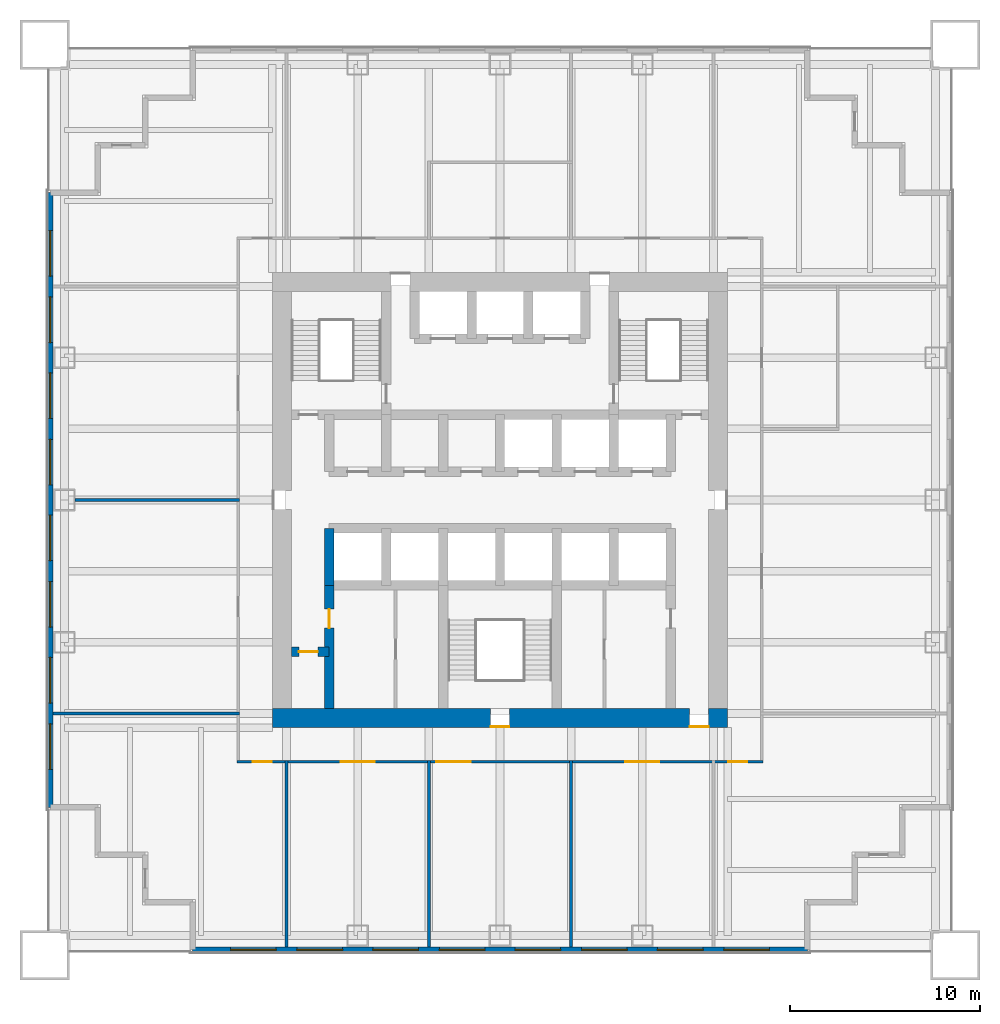
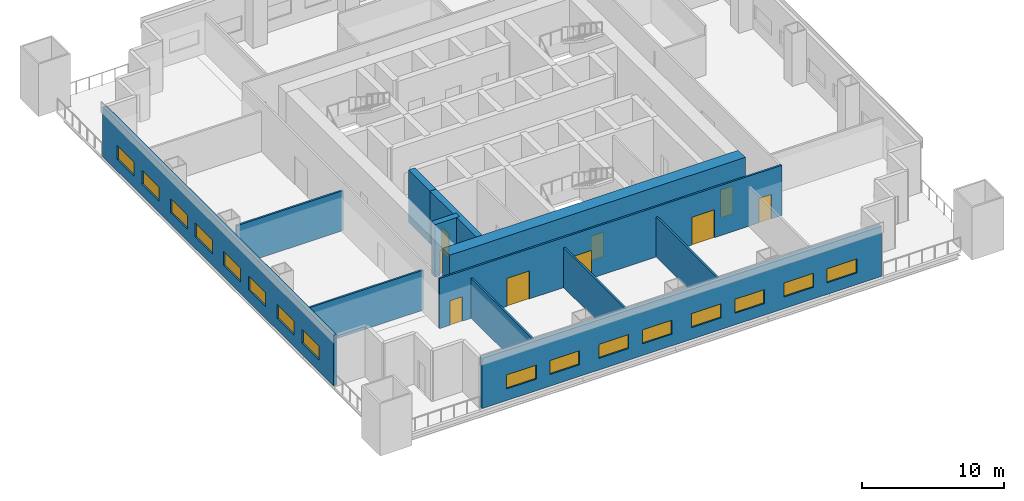
# One storey, part 2 of 7: 16 windows, 12 walls, 9 doors, 25 openings.
"""IFC4 building model written with IfcOpenShell, lengths in metres."""

from ifc_helpers import new_model, si_unit, direction, frame, frame_2d, origin, place, context, subcontext, project, spatial, rectangle, extrude, material, layer, layer_set, type_object, element, fill, save


model = new_model("IFC4")

# Units and contexts
model_context = context("Model", 3, precision=1e-05, world=origin(), true_north=direction((0.0, 1.0)))
body_context = subcontext(model_context, "Body", "Model", "MODEL_VIEW")
ifc_project = project(units=[si_unit("LENGTHUNIT", "METRE"), si_unit("AREAUNIT", "SQUARE_METRE"), si_unit("VOLUMEUNIT", "CUBIC_METRE"), si_unit("PLANEANGLEUNIT", "RADIAN"), si_unit("MASSUNIT", "GRAM", prefix="KILO")], contexts=[model_context])

# Site, building, storey
site_placement = place(None, origin())
site = spatial("IfcSite", under=ifc_project, at=site_placement, CompositionType="ELEMENT")
building_placement = place(site_placement, origin())
building = spatial("IfcBuilding", under=site, at=building_placement, Name="Tarangal Relay Tower", CompositionType="ELEMENT")
storey_placement = place(building_placement, frame((0.0, 0.0, 131.39990234375)))
storey = spatial("IfcBuildingStorey", under=building, at=storey_placement, Name="L26", CompositionType="ELEMENT", Elevation=131.39990234375)

# Wall, opening, door
ifc_material_1 = material(Name="Concrete fc' 60 MPa", Category="concrete")
ifc_layer_1 = layer(ifc_material_1, 0.5)
ifc_layer_set_1 = layer_set([ifc_layer_1], Name="Core inner wall 500")
wall_type_1 = type_object("IfcWallType", Name="Core inner wall 500", PredefinedType="SHEAR", material=ifc_layer_set_1)
wall_1_placement = place(storey_placement, frame((-11.0, -8.0, 0.0), z_axis=(0.0, 0.0, 1.0), x_axis=(1.0, 0.0, 0.0)))
wall_1 = element("IfcWall", 1, at=wall_1_placement, inside=storey, type_object=wall_type_1, Name="Core wall YM8 L26", PredefinedType="SHEAR", context=body_context, shape_type="SweptSolid", body=[
    extrude(rectangle(XDim=2.0, YDim=0.5, at=frame_2d((1.0, 0.0))), origin(), (0.0, 0.0, 1.0), 4.5),
])
opening_1_placement = place(wall_1_placement, frame((0.39990234375, 0.0, 0.0)))
opening_1 = element("IfcOpeningElement", 2, at=opening_1_placement, cuts=wall_1, Name="Opening D1", PredefinedType="OPENING", context=body_context, shape_type="SweptSolid", body=[
    extrude(rectangle(XDim=1.0, YDim=2.10009765625, at=frame_2d((0.5, 1.050048828125))), frame((0.0, 0.260009765625, 0.0), z_axis=(0.0, -1.0, 0.0), x_axis=(1.0, 0.0, 0.0)), (0.0, 0.0, 1.0), 0.52001953125),
])
ifc_material_2 = material(Name="Hardwood door", Category="wood")
door_type_1 = type_object("IfcDoorType", Name="WC door 1000 x 2100", OperationType="SINGLE_SWING_LEFT", PredefinedType="DOOR", material=ifc_material_2)
door_1_placement = place(opening_1_placement, origin())
door_1 = element("IfcDoor", 3, at=door_1_placement, inside=storey, type_object=door_type_1, Name="Accessible WC door L26", OperationType="SINGLE_SWING_LEFT", OverallHeight=2.10009765625, OverallWidth=1.0, PredefinedType="DOOR", context=body_context, shape_type="SweptSolid", body=[
    extrude(rectangle(XDim=1.0, YDim=2.10009765625, at=frame_2d((0.5, 1.050048828125))), frame((0.0, 0.02490234375, 0.0), z_axis=(0.0, -1.0, 0.0), x_axis=(1.0, 0.0, 0.0)), (0.0, 0.0, 1.0), 0.050048828125),
])
fill(opening_1, door_1)

# Wall
wall_2_placement = place(storey_placement, frame((-9.0, -4.5, 0.0), z_axis=(0.0, 0.0, 1.0), x_axis=(0.0, 1.0, 0.0)))
element("IfcWall", 4, at=wall_2_placement, inside=storey, type_object=wall_type_1, Name="Core wall XM9S L26", PredefinedType="SHEAR", context=body_context, shape_type="SweptSolid", body=[
    extrude(rectangle(XDim=3.0, YDim=0.5, at=frame_2d((1.5, 0.0))), origin(), (0.0, 0.0, 1.0), 4.5),
])

# Wall, opening, door
wall_3_placement = place(storey_placement, frame((-9.0, -11.0, 0.0), z_axis=(0.0, 0.0, 1.0), x_axis=(0.0, 1.0, 0.0)))
wall_3 = element("IfcWall", 5, at=wall_3_placement, inside=storey, type_object=wall_type_1, Name="Core wall XM9W L26", PredefinedType="SHEAR", context=body_context, shape_type="SweptSolid", body=[
    extrude(rectangle(XDim=6.5, YDim=0.5, at=frame_2d((3.25, 0.0))), origin(), (0.0, 0.0, 1.0), 4.5),
])
opening_2_placement = place(wall_3_placement, frame((4.25, 0.0, 0.0)))
opening_2 = element("IfcOpeningElement", 6, at=opening_2_placement, cuts=wall_3, Name="Opening D1", PredefinedType="OPENING", context=body_context, shape_type="SweptSolid", body=[
    extrude(rectangle(XDim=1.0, YDim=2.10009765625, at=frame_2d((0.5, 1.050048828125))), frame((0.0, 0.260009765625, 0.0), z_axis=(0.0, -1.0, 0.0), x_axis=(1.0, 0.0, 0.0)), (0.0, 0.0, 1.0), 0.52001953125),
])
door_2_placement = place(opening_2_placement, origin())
door_2 = element("IfcDoor", 7, at=door_2_placement, inside=storey, type_object=door_type_1, Name="Male WC door L26", OperationType="SINGLE_SWING_LEFT", OverallHeight=2.10009765625, OverallWidth=1.0, PredefinedType="DOOR", context=body_context, shape_type="SweptSolid", body=[
    extrude(rectangle(XDim=1.0, YDim=2.10009765625, at=frame_2d((0.5, 1.050048828125))), frame((0.0, 0.02490234375, 0.0), z_axis=(0.0, -1.0, 0.0), x_axis=(1.0, 0.0, 0.0)), (0.0, 0.0, 1.0), 0.050048828125),
])
fill(opening_2, door_2)

# Wall, openings, doors
ifc_layer_2 = layer(ifc_material_1, 1.0)
ifc_layer_set_2 = layer_set([ifc_layer_2], Name="Core wall 1000")
wall_type_2 = type_object("IfcWallType", Name="Core wall 1000", PredefinedType="SHEAR", material=ifc_layer_set_2)
wall_4_placement = place(storey_placement, frame((12.0, -11.5, 0.0), z_axis=(0.0, 0.0, 1.0), x_axis=(-1.0, 0.0, 0.0)))
wall_4 = element("IfcWall", 8, at=wall_4_placement, inside=storey, type_object=wall_type_2, Name="Core wall S L26", PredefinedType="SHEAR", context=body_context, shape_type="SweptSolid", body=[
    extrude(rectangle(XDim=24.0, YDim=1.0, at=frame_2d((12.0, 0.0))), origin(), (0.0, 0.0, 1.0), 4.5),
])
opening_3_placement = place(wall_4_placement, frame((11.5, 0.0, 0.0)))
opening_3 = element("IfcOpeningElement", 9, at=opening_3_placement, cuts=wall_4, Name="Opening FD1", PredefinedType="OPENING", context=body_context, shape_type="SweptSolid", body=[
    extrude(rectangle(XDim=1.0, YDim=2.10009765625, at=frame_2d((0.5, 1.050048828125))), frame((0.0, 0.510009765625, 0.0), z_axis=(0.0, -1.0, 0.0), x_axis=(1.0, 0.0, 0.0)), (0.0, 0.0, 1.0), 1.02001953125),
])
opening_4_placement = place(wall_4_placement, frame((1.0, 0.0, 0.0)))
opening_4 = element("IfcOpeningElement", 10, at=opening_4_placement, cuts=wall_4, Name="Opening FD3", PredefinedType="OPENING", context=body_context, shape_type="SweptSolid", body=[
    extrude(rectangle(XDim=1.0, YDim=2.39990234375, at=frame_2d((0.5, 1.199951171875))), frame((0.0, 0.510009765625, 0.0), z_axis=(0.0, -1.0, 0.0), x_axis=(1.0, 0.0, 0.0)), (0.0, 0.0, 1.0), 1.02001953125),
])
ifc_material_3 = material(Name="Steel door with hardwood frame", Category="steel")
door_type_2 = type_object("IfcDoorType", Name="Fire door 1000 x 2100", OperationType="SINGLE_SWING_LEFT", PredefinedType="DOOR", material=ifc_material_3)
door_3_placement = place(opening_3_placement, origin())
door_3 = element("IfcDoor", 11, at=door_3_placement, inside=storey, type_object=door_type_2, Name="Stair ST-C door L26", OperationType="SINGLE_SWING_LEFT", OverallHeight=2.10009765625, OverallWidth=1.0, PredefinedType="DOOR", context=body_context, shape_type="SweptSolid", body=[
    extrude(rectangle(XDim=1.0, YDim=2.10009765625, at=frame_2d((0.5, 1.050048828125))), frame((0.0, 0.48486328125, 0.0), z_axis=(0.0, -1.0, 0.0), x_axis=(1.0, 0.0, 0.0)), (0.0, 0.0, 1.0), 0.050048828125),
])
fill(opening_3, door_3)
door_type_3 = type_object("IfcDoorType", Name="Fire door 1000 x 2400 core entry", OperationType="SINGLE_SWING_RIGHT", PredefinedType="DOOR", material=ifc_material_3)
door_4_placement = place(opening_4_placement, origin())
door_4 = element("IfcDoor", 12, at=door_4_placement, inside=storey, type_object=door_type_3, Name="Core entry door south east L26", OperationType="SINGLE_SWING_RIGHT", OverallHeight=2.39990234375, OverallWidth=1.0, PredefinedType="DOOR", context=body_context, shape_type="SweptSolid", body=[
    extrude(rectangle(XDim=1.0, YDim=2.39990234375, at=frame_2d((0.5, 1.199951171875))), frame((0.0, 0.48486328125, 0.0), z_axis=(0.0, -1.0, 0.0), x_axis=(1.0, 0.0, 0.0)), (0.0, 0.0, 1.0), 0.050048828125),
])
fill(opening_4, door_4)

# Wall, openings, windows
ifc_material_4 = material(Name="Insulated precast concrete fc' 40 MPa", Category="concrete")
ifc_layer_3 = layer(ifc_material_4, 0.300048828125)
ifc_layer_set_3 = layer_set([ifc_layer_3], Name="Insulated precast concrete fc' 40 MPa")
wall_type_3 = type_object("IfcWallType", Name="Facade wall precast 300", PredefinedType="SOLIDWALL", material=ifc_layer_set_3)
wall_5_placement = place(storey_placement, frame((16.199951171875, -23.699951171875, 0.0), z_axis=(0.0, 0.0, 1.0), x_axis=(-1.0, 0.0, 0.0)))
wall_5 = element("IfcWall", 13, at=wall_5_placement, inside=storey, type_object=wall_type_3, Name="Facade wall S facade L26", PredefinedType="SOLIDWALL", context=body_context, shape_type="SweptSolid", body=[
    extrude(rectangle(XDim=32.39990234375, YDim=0.300048828125, at=frame_2d((16.199951171875, 0.0))), origin(), (0.0, 0.0, 1.0), 4.300048828125),
])
opening_5_placement = place(wall_5_placement, frame((2.0, 0.0, 1.0)))
opening_5 = element("IfcOpeningElement", 14, at=opening_5_placement, cuts=wall_5, Name="Opening WN1", PredefinedType="OPENING", context=body_context, shape_type="SweptSolid", body=[
    extrude(rectangle(XDim=2.39990234375, YDim=1.199951171875, at=frame_2d((1.199951171875, 0.60009765625))), frame((0.0, 0.159912109375, 0.0), z_axis=(0.0, -1.0, 0.0), x_axis=(1.0, 0.0, 0.0)), (0.0, 0.0, 1.0), 0.320068359375),
])
opening_6_placement = place(wall_5_placement, frame((5.5, 0.0, 1.0)))
opening_6 = element("IfcOpeningElement", 15, at=opening_6_placement, cuts=wall_5, Name="Opening WN1", PredefinedType="OPENING", context=body_context, shape_type="SweptSolid", body=[
    extrude(rectangle(XDim=2.39990234375, YDim=1.199951171875, at=frame_2d((1.199951171875, 0.60009765625))), frame((0.0, 0.159912109375, 0.0), z_axis=(0.0, -1.0, 0.0), x_axis=(1.0, 0.0, 0.0)), (0.0, 0.0, 1.0), 0.320068359375),
])
opening_7_placement = place(wall_5_placement, frame((9.5, 0.0, 1.0)))
opening_7 = element("IfcOpeningElement", 16, at=opening_7_placement, cuts=wall_5, Name="Opening WN1", PredefinedType="OPENING", context=body_context, shape_type="SweptSolid", body=[
    extrude(rectangle(XDim=2.39990234375, YDim=1.199951171875, at=frame_2d((1.199951171875, 0.60009765625))), frame((0.0, 0.159912109375, 0.0), z_axis=(0.0, -1.0, 0.0), x_axis=(1.0, 0.0, 0.0)), (0.0, 0.0, 1.0), 0.320068359375),
])
opening_8_placement = place(wall_5_placement, frame((13.0, 0.0, 1.0)))
opening_8 = element("IfcOpeningElement", 17, at=opening_8_placement, cuts=wall_5, Name="Opening WN1", PredefinedType="OPENING", context=body_context, shape_type="SweptSolid", body=[
    extrude(rectangle(XDim=2.39990234375, YDim=1.199951171875, at=frame_2d((1.199951171875, 0.60009765625))), frame((0.0, 0.159912109375, 0.0), z_axis=(0.0, -1.0, 0.0), x_axis=(1.0, 0.0, 0.0)), (0.0, 0.0, 1.0), 0.320068359375),
])
opening_9_placement = place(wall_5_placement, frame((17.0, 0.0, 1.0)))
opening_9 = element("IfcOpeningElement", 18, at=opening_9_placement, cuts=wall_5, Name="Opening WN1", PredefinedType="OPENING", context=body_context, shape_type="SweptSolid", body=[
    extrude(rectangle(XDim=2.39990234375, YDim=1.199951171875, at=frame_2d((1.199951171875, 0.60009765625))), frame((0.0, 0.159912109375, 0.0), z_axis=(0.0, -1.0, 0.0), x_axis=(1.0, 0.0, 0.0)), (0.0, 0.0, 1.0), 0.320068359375),
])
opening_10_placement = place(wall_5_placement, frame((20.5, 0.0, 1.0)))
opening_10 = element("IfcOpeningElement", 19, at=opening_10_placement, cuts=wall_5, Name="Opening WN1", PredefinedType="OPENING", context=body_context, shape_type="SweptSolid", body=[
    extrude(rectangle(XDim=2.39990234375, YDim=1.199951171875, at=frame_2d((1.199951171875, 0.60009765625))), frame((0.0, 0.159912109375, 0.0), z_axis=(0.0, -1.0, 0.0), x_axis=(1.0, 0.0, 0.0)), (0.0, 0.0, 1.0), 0.320068359375),
])
opening_11_placement = place(wall_5_placement, frame((24.5, 0.0, 1.0)))
opening_11 = element("IfcOpeningElement", 20, at=opening_11_placement, cuts=wall_5, Name="Opening WN1", PredefinedType="OPENING", context=body_context, shape_type="SweptSolid", body=[
    extrude(rectangle(XDim=2.39990234375, YDim=1.199951171875, at=frame_2d((1.199951171875, 0.60009765625))), frame((0.0, 0.159912109375, 0.0), z_axis=(0.0, -1.0, 0.0), x_axis=(1.0, 0.0, 0.0)), (0.0, 0.0, 1.0), 0.320068359375),
])
opening_12_placement = place(wall_5_placement, frame((28.0, 0.0, 1.0)))
opening_12 = element("IfcOpeningElement", 21, at=opening_12_placement, cuts=wall_5, Name="Opening WN1", PredefinedType="OPENING", context=body_context, shape_type="SweptSolid", body=[
    extrude(rectangle(XDim=2.39990234375, YDim=1.199951171875, at=frame_2d((1.199951171875, 0.60009765625))), frame((0.0, 0.159912109375, 0.0), z_axis=(0.0, -1.0, 0.0), x_axis=(1.0, 0.0, 0.0)), (0.0, 0.0, 1.0), 0.320068359375),
])
ifc_material_5 = material(Name="Dark tinted double glazing in black aluminium frame", Category="aluminium")
window_type = type_object("IfcWindowType", Name="Ribbon window 2400 x 1200", PartitioningType="SINGLE_PANEL", PredefinedType="WINDOW", material=ifc_material_5)
window_1_placement = place(opening_5_placement, origin())
window_1 = element("IfcWindow", 22, at=window_1_placement, inside=storey, type_object=window_type, Name="Ribbon window WN1 S facade L26", OverallHeight=1.199951171875, OverallWidth=2.39990234375, PartitioningType="SINGLE_PANEL", PredefinedType="WINDOW", context=body_context, shape_type="SweptSolid", body=[
    extrude(rectangle(XDim=2.39990234375, YDim=1.199951171875, at=frame_2d((1.199951171875, 0.60009765625))), frame((0.0, 0.030029296875, 0.0), z_axis=(0.0, -1.0, 0.0), x_axis=(1.0, 0.0, 0.0)), (0.0, 0.0, 1.0), 0.06005859375),
])
fill(opening_5, window_1)
window_2_placement = place(opening_6_placement, origin())
window_2 = element("IfcWindow", 23, at=window_2_placement, inside=storey, type_object=window_type, Name="Ribbon window WN1 S facade L26", OverallHeight=1.199951171875, OverallWidth=2.39990234375, PartitioningType="SINGLE_PANEL", PredefinedType="WINDOW", context=body_context, shape_type="SweptSolid", body=[
    extrude(rectangle(XDim=2.39990234375, YDim=1.199951171875, at=frame_2d((1.199951171875, 0.60009765625))), frame((0.0, 0.030029296875, 0.0), z_axis=(0.0, -1.0, 0.0), x_axis=(1.0, 0.0, 0.0)), (0.0, 0.0, 1.0), 0.06005859375),
])
fill(opening_6, window_2)
window_3_placement = place(opening_7_placement, origin())
window_3 = element("IfcWindow", 24, at=window_3_placement, inside=storey, type_object=window_type, Name="Ribbon window WN1 S facade L26", OverallHeight=1.199951171875, OverallWidth=2.39990234375, PartitioningType="SINGLE_PANEL", PredefinedType="WINDOW", context=body_context, shape_type="SweptSolid", body=[
    extrude(rectangle(XDim=2.39990234375, YDim=1.199951171875, at=frame_2d((1.199951171875, 0.60009765625))), frame((0.0, 0.030029296875, 0.0), z_axis=(0.0, -1.0, 0.0), x_axis=(1.0, 0.0, 0.0)), (0.0, 0.0, 1.0), 0.06005859375),
])
fill(opening_7, window_3)
window_4_placement = place(opening_8_placement, origin())
window_4 = element("IfcWindow", 25, at=window_4_placement, inside=storey, type_object=window_type, Name="Ribbon window WN1 S facade L26", OverallHeight=1.199951171875, OverallWidth=2.39990234375, PartitioningType="SINGLE_PANEL", PredefinedType="WINDOW", context=body_context, shape_type="SweptSolid", body=[
    extrude(rectangle(XDim=2.39990234375, YDim=1.199951171875, at=frame_2d((1.199951171875, 0.60009765625))), frame((0.0, 0.030029296875, 0.0), z_axis=(0.0, -1.0, 0.0), x_axis=(1.0, 0.0, 0.0)), (0.0, 0.0, 1.0), 0.06005859375),
])
fill(opening_8, window_4)
window_5_placement = place(opening_9_placement, origin())
window_5 = element("IfcWindow", 26, at=window_5_placement, inside=storey, type_object=window_type, Name="Ribbon window WN1 S facade L26", OverallHeight=1.199951171875, OverallWidth=2.39990234375, PartitioningType="SINGLE_PANEL", PredefinedType="WINDOW", context=body_context, shape_type="SweptSolid", body=[
    extrude(rectangle(XDim=2.39990234375, YDim=1.199951171875, at=frame_2d((1.199951171875, 0.60009765625))), frame((0.0, 0.030029296875, 0.0), z_axis=(0.0, -1.0, 0.0), x_axis=(1.0, 0.0, 0.0)), (0.0, 0.0, 1.0), 0.06005859375),
])
fill(opening_9, window_5)
window_6_placement = place(opening_10_placement, origin())
window_6 = element("IfcWindow", 27, at=window_6_placement, inside=storey, type_object=window_type, Name="Ribbon window WN1 S facade L26", OverallHeight=1.199951171875, OverallWidth=2.39990234375, PartitioningType="SINGLE_PANEL", PredefinedType="WINDOW", context=body_context, shape_type="SweptSolid", body=[
    extrude(rectangle(XDim=2.39990234375, YDim=1.199951171875, at=frame_2d((1.199951171875, 0.60009765625))), frame((0.0, 0.030029296875, 0.0), z_axis=(0.0, -1.0, 0.0), x_axis=(1.0, 0.0, 0.0)), (0.0, 0.0, 1.0), 0.06005859375),
])
fill(opening_10, window_6)
window_7_placement = place(opening_11_placement, origin())
window_7 = element("IfcWindow", 28, at=window_7_placement, inside=storey, type_object=window_type, Name="Ribbon window WN1 S facade L26", OverallHeight=1.199951171875, OverallWidth=2.39990234375, PartitioningType="SINGLE_PANEL", PredefinedType="WINDOW", context=body_context, shape_type="SweptSolid", body=[
    extrude(rectangle(XDim=2.39990234375, YDim=1.199951171875, at=frame_2d((1.199951171875, 0.60009765625))), frame((0.0, 0.030029296875, 0.0), z_axis=(0.0, -1.0, 0.0), x_axis=(1.0, 0.0, 0.0)), (0.0, 0.0, 1.0), 0.06005859375),
])
fill(opening_11, window_7)
window_8_placement = place(opening_12_placement, origin())
window_8 = element("IfcWindow", 29, at=window_8_placement, inside=storey, type_object=window_type, Name="Ribbon window WN1 S facade L26", OverallHeight=1.199951171875, OverallWidth=2.39990234375, PartitioningType="SINGLE_PANEL", PredefinedType="WINDOW", context=body_context, shape_type="SweptSolid", body=[
    extrude(rectangle(XDim=2.39990234375, YDim=1.199951171875, at=frame_2d((1.199951171875, 0.60009765625))), frame((0.0, 0.030029296875, 0.0), z_axis=(0.0, -1.0, 0.0), x_axis=(1.0, 0.0, 0.0)), (0.0, 0.0, 1.0), 0.06005859375),
])
fill(opening_12, window_8)

wall_6_placement = place(storey_placement, frame((-23.699951171875, -16.199951171875, 0.0), z_axis=(0.0, 0.0, 1.0), x_axis=(0.0, 1.0, 0.0)))
wall_6 = element("IfcWall", 30, at=wall_6_placement, inside=storey, type_object=wall_type_3, Name="Facade wall W facade L26", PredefinedType="SOLIDWALL", context=body_context, shape_type="SweptSolid", body=[
    extrude(rectangle(XDim=32.39990234375, YDim=0.300048828125, at=frame_2d((16.199951171875, 0.0))), origin(), (0.0, 0.0, 1.0), 4.300048828125),
])
opening_13_placement = place(wall_6_placement, frame((2.0, 0.0, 1.0)))
opening_13 = element("IfcOpeningElement", 31, at=opening_13_placement, cuts=wall_6, Name="Opening WN1", PredefinedType="OPENING", context=body_context, shape_type="SweptSolid", body=[
    extrude(rectangle(XDim=2.39990234375, YDim=1.199951171875, at=frame_2d((1.199951171875, 0.60009765625))), frame((0.0, 0.159912109375, 0.0), z_axis=(0.0, -1.0, 0.0), x_axis=(1.0, 0.0, 0.0)), (0.0, 0.0, 1.0), 0.320068359375),
])
opening_14_placement = place(wall_6_placement, frame((5.5, 0.0, 1.0)))
opening_14 = element("IfcOpeningElement", 32, at=opening_14_placement, cuts=wall_6, Name="Opening WN1", PredefinedType="OPENING", context=body_context, shape_type="SweptSolid", body=[
    extrude(rectangle(XDim=2.39990234375, YDim=1.199951171875, at=frame_2d((1.199951171875, 0.60009765625))), frame((0.0, 0.159912109375, 0.0), z_axis=(0.0, -1.0, 0.0), x_axis=(1.0, 0.0, 0.0)), (0.0, 0.0, 1.0), 0.320068359375),
])
opening_15_placement = place(wall_6_placement, frame((9.5, 0.0, 1.0)))
opening_15 = element("IfcOpeningElement", 33, at=opening_15_placement, cuts=wall_6, Name="Opening WN1", PredefinedType="OPENING", context=body_context, shape_type="SweptSolid", body=[
    extrude(rectangle(XDim=2.39990234375, YDim=1.199951171875, at=frame_2d((1.199951171875, 0.60009765625))), frame((0.0, 0.159912109375, 0.0), z_axis=(0.0, -1.0, 0.0), x_axis=(1.0, 0.0, 0.0)), (0.0, 0.0, 1.0), 0.320068359375),
])
opening_16_placement = place(wall_6_placement, frame((13.0, 0.0, 1.0)))
opening_16 = element("IfcOpeningElement", 34, at=opening_16_placement, cuts=wall_6, Name="Opening WN1", PredefinedType="OPENING", context=body_context, shape_type="SweptSolid", body=[
    extrude(rectangle(XDim=2.39990234375, YDim=1.199951171875, at=frame_2d((1.199951171875, 0.60009765625))), frame((0.0, 0.159912109375, 0.0), z_axis=(0.0, -1.0, 0.0), x_axis=(1.0, 0.0, 0.0)), (0.0, 0.0, 1.0), 0.320068359375),
])
opening_17_placement = place(wall_6_placement, frame((17.0, 0.0, 1.0)))
opening_17 = element("IfcOpeningElement", 35, at=opening_17_placement, cuts=wall_6, Name="Opening WN1", PredefinedType="OPENING", context=body_context, shape_type="SweptSolid", body=[
    extrude(rectangle(XDim=2.39990234375, YDim=1.199951171875, at=frame_2d((1.199951171875, 0.60009765625))), frame((0.0, 0.159912109375, 0.0), z_axis=(0.0, -1.0, 0.0), x_axis=(1.0, 0.0, 0.0)), (0.0, 0.0, 1.0), 0.320068359375),
])
opening_18_placement = place(wall_6_placement, frame((20.5, 0.0, 1.0)))
opening_18 = element("IfcOpeningElement", 36, at=opening_18_placement, cuts=wall_6, Name="Opening WN1", PredefinedType="OPENING", context=body_context, shape_type="SweptSolid", body=[
    extrude(rectangle(XDim=2.39990234375, YDim=1.199951171875, at=frame_2d((1.199951171875, 0.60009765625))), frame((0.0, 0.159912109375, 0.0), z_axis=(0.0, -1.0, 0.0), x_axis=(1.0, 0.0, 0.0)), (0.0, 0.0, 1.0), 0.320068359375),
])
opening_19_placement = place(wall_6_placement, frame((24.5, 0.0, 1.0)))
opening_19 = element("IfcOpeningElement", 37, at=opening_19_placement, cuts=wall_6, Name="Opening WN1", PredefinedType="OPENING", context=body_context, shape_type="SweptSolid", body=[
    extrude(rectangle(XDim=2.39990234375, YDim=1.199951171875, at=frame_2d((1.199951171875, 0.60009765625))), frame((0.0, 0.159912109375, 0.0), z_axis=(0.0, -1.0, 0.0), x_axis=(1.0, 0.0, 0.0)), (0.0, 0.0, 1.0), 0.320068359375),
])
opening_20_placement = place(wall_6_placement, frame((28.0, 0.0, 1.0)))
opening_20 = element("IfcOpeningElement", 38, at=opening_20_placement, cuts=wall_6, Name="Opening WN1", PredefinedType="OPENING", context=body_context, shape_type="SweptSolid", body=[
    extrude(rectangle(XDim=2.39990234375, YDim=1.199951171875, at=frame_2d((1.199951171875, 0.60009765625))), frame((0.0, 0.159912109375, 0.0), z_axis=(0.0, -1.0, 0.0), x_axis=(1.0, 0.0, 0.0)), (0.0, 0.0, 1.0), 0.320068359375),
])
window_9_placement = place(opening_13_placement, origin())
window_9 = element("IfcWindow", 39, at=window_9_placement, inside=storey, type_object=window_type, Name="Ribbon window WN1 W facade L26", OverallHeight=1.199951171875, OverallWidth=2.39990234375, PartitioningType="SINGLE_PANEL", PredefinedType="WINDOW", context=body_context, shape_type="SweptSolid", body=[
    extrude(rectangle(XDim=2.39990234375, YDim=1.199951171875, at=frame_2d((1.199951171875, 0.60009765625))), frame((0.0, 0.030029296875, 0.0), z_axis=(0.0, -1.0, 0.0), x_axis=(1.0, 0.0, 0.0)), (0.0, 0.0, 1.0), 0.06005859375),
])
fill(opening_13, window_9)
window_10_placement = place(opening_14_placement, origin())
window_10 = element("IfcWindow", 40, at=window_10_placement, inside=storey, type_object=window_type, Name="Ribbon window WN1 W facade L26", OverallHeight=1.199951171875, OverallWidth=2.39990234375, PartitioningType="SINGLE_PANEL", PredefinedType="WINDOW", context=body_context, shape_type="SweptSolid", body=[
    extrude(rectangle(XDim=2.39990234375, YDim=1.199951171875, at=frame_2d((1.199951171875, 0.60009765625))), frame((0.0, 0.030029296875, 0.0), z_axis=(0.0, -1.0, 0.0), x_axis=(1.0, 0.0, 0.0)), (0.0, 0.0, 1.0), 0.06005859375),
])
fill(opening_14, window_10)
window_11_placement = place(opening_15_placement, origin())
window_11 = element("IfcWindow", 41, at=window_11_placement, inside=storey, type_object=window_type, Name="Ribbon window WN1 W facade L26", OverallHeight=1.199951171875, OverallWidth=2.39990234375, PartitioningType="SINGLE_PANEL", PredefinedType="WINDOW", context=body_context, shape_type="SweptSolid", body=[
    extrude(rectangle(XDim=2.39990234375, YDim=1.199951171875, at=frame_2d((1.199951171875, 0.60009765625))), frame((0.0, 0.030029296875, 0.0), z_axis=(0.0, -1.0, 0.0), x_axis=(1.0, 0.0, 0.0)), (0.0, 0.0, 1.0), 0.06005859375),
])
fill(opening_15, window_11)
window_12_placement = place(opening_16_placement, origin())
window_12 = element("IfcWindow", 42, at=window_12_placement, inside=storey, type_object=window_type, Name="Ribbon window WN1 W facade L26", OverallHeight=1.199951171875, OverallWidth=2.39990234375, PartitioningType="SINGLE_PANEL", PredefinedType="WINDOW", context=body_context, shape_type="SweptSolid", body=[
    extrude(rectangle(XDim=2.39990234375, YDim=1.199951171875, at=frame_2d((1.199951171875, 0.60009765625))), frame((0.0, 0.030029296875, 0.0), z_axis=(0.0, -1.0, 0.0), x_axis=(1.0, 0.0, 0.0)), (0.0, 0.0, 1.0), 0.06005859375),
])
fill(opening_16, window_12)
window_13_placement = place(opening_17_placement, origin())
window_13 = element("IfcWindow", 43, at=window_13_placement, inside=storey, type_object=window_type, Name="Ribbon window WN1 W facade L26", OverallHeight=1.199951171875, OverallWidth=2.39990234375, PartitioningType="SINGLE_PANEL", PredefinedType="WINDOW", context=body_context, shape_type="SweptSolid", body=[
    extrude(rectangle(XDim=2.39990234375, YDim=1.199951171875, at=frame_2d((1.199951171875, 0.60009765625))), frame((0.0, 0.030029296875, 0.0), z_axis=(0.0, -1.0, 0.0), x_axis=(1.0, 0.0, 0.0)), (0.0, 0.0, 1.0), 0.06005859375),
])
fill(opening_17, window_13)
window_14_placement = place(opening_18_placement, origin())
window_14 = element("IfcWindow", 44, at=window_14_placement, inside=storey, type_object=window_type, Name="Ribbon window WN1 W facade L26", OverallHeight=1.199951171875, OverallWidth=2.39990234375, PartitioningType="SINGLE_PANEL", PredefinedType="WINDOW", context=body_context, shape_type="SweptSolid", body=[
    extrude(rectangle(XDim=2.39990234375, YDim=1.199951171875, at=frame_2d((1.199951171875, 0.60009765625))), frame((0.0, 0.030029296875, 0.0), z_axis=(0.0, -1.0, 0.0), x_axis=(1.0, 0.0, 0.0)), (0.0, 0.0, 1.0), 0.06005859375),
])
fill(opening_18, window_14)
window_15_placement = place(opening_19_placement, origin())
window_15 = element("IfcWindow", 45, at=window_15_placement, inside=storey, type_object=window_type, Name="Ribbon window WN1 W facade L26", OverallHeight=1.199951171875, OverallWidth=2.39990234375, PartitioningType="SINGLE_PANEL", PredefinedType="WINDOW", context=body_context, shape_type="SweptSolid", body=[
    extrude(rectangle(XDim=2.39990234375, YDim=1.199951171875, at=frame_2d((1.199951171875, 0.60009765625))), frame((0.0, 0.030029296875, 0.0), z_axis=(0.0, -1.0, 0.0), x_axis=(1.0, 0.0, 0.0)), (0.0, 0.0, 1.0), 0.06005859375),
])
fill(opening_19, window_15)
window_16_placement = place(opening_20_placement, origin())
window_16 = element("IfcWindow", 46, at=window_16_placement, inside=storey, type_object=window_type, Name="Ribbon window WN1 W facade L26", OverallHeight=1.199951171875, OverallWidth=2.39990234375, PartitioningType="SINGLE_PANEL", PredefinedType="WINDOW", context=body_context, shape_type="SweptSolid", body=[
    extrude(rectangle(XDim=2.39990234375, YDim=1.199951171875, at=frame_2d((1.199951171875, 0.60009765625))), frame((0.0, 0.030029296875, 0.0), z_axis=(0.0, -1.0, 0.0), x_axis=(1.0, 0.0, 0.0)), (0.0, 0.0, 1.0), 0.06005859375),
])
fill(opening_20, window_16)

# Wall, openings, doors
ifc_material_6 = material(Name="Gypsum board on steel studs", Category="steel")
ifc_layer_4 = layer(ifc_material_6, 0.14990234375)
ifc_layer_set_4 = layer_set([ifc_layer_4], Name="Partition 150")
wall_type_4 = type_object("IfcWallType", Name="Partition 150", PredefinedType="PARTITIONING", material=ifc_layer_set_4)
wall_7_placement = place(storey_placement, frame((-13.875, -13.800048828125, 0.0), z_axis=(0.0, 0.0, 1.0), x_axis=(1.0, 0.0, 0.0)))
wall_7 = element("IfcWall", 47, at=wall_7_placement, inside=storey, type_object=wall_type_4, Name="Partition PT1 L26", PredefinedType="PARTITIONING", context=body_context, shape_type="SweptSolid", body=[
    extrude(rectangle(XDim=27.75, YDim=0.14990234375, at=frame_2d((13.875, 0.0))), origin(), (0.0, 0.0, 1.0), 4.300048828125),
])
opening_21_placement = place(wall_7_placement, frame((20.47509765625, 0.0, 0.0)))
opening_21 = element("IfcOpeningElement", 48, at=opening_21_placement, cuts=wall_7, Name="Opening DD1", PredefinedType="OPENING", context=body_context, shape_type="SweptSolid", body=[
    extrude(rectangle(XDim=1.800048828125, YDim=2.39990234375, at=frame_2d((0.89990234375, 1.199951171875))), frame((0.0, 0.0849609375, 0.0), z_axis=(0.0, -1.0, 0.0), x_axis=(1.0, 0.0, 0.0)), (0.0, 0.0, 1.0), 0.169921875),
])
opening_22_placement = place(wall_7_placement, frame((10.52490234375, 0.0, 0.0)))
opening_22 = element("IfcOpeningElement", 49, at=opening_22_placement, cuts=wall_7, Name="Opening DD1", PredefinedType="OPENING", context=body_context, shape_type="SweptSolid", body=[
    extrude(rectangle(XDim=1.800048828125, YDim=2.39990234375, at=frame_2d((0.89990234375, 1.199951171875))), frame((0.0, 0.0849609375, 0.0), z_axis=(0.0, -1.0, 0.0), x_axis=(1.0, 0.0, 0.0)), (0.0, 0.0, 1.0), 0.169921875),
])
opening_23_placement = place(wall_7_placement, frame((5.47509765625, 0.0, 0.0)))
opening_23 = element("IfcOpeningElement", 50, at=opening_23_placement, cuts=wall_7, Name="Opening DD1", PredefinedType="OPENING", context=body_context, shape_type="SweptSolid", body=[
    extrude(rectangle(XDim=1.800048828125, YDim=2.39990234375, at=frame_2d((0.89990234375, 1.199951171875))), frame((0.0, 0.0849609375, 0.0), z_axis=(0.0, -1.0, 0.0), x_axis=(1.0, 0.0, 0.0)), (0.0, 0.0, 1.0), 0.169921875),
])
opening_24_placement = place(wall_7_placement, frame((25.89990234375, 0.0, 0.0)))
opening_24 = element("IfcOpeningElement", 51, at=opening_24_placement, cuts=wall_7, Name="Opening D2", PredefinedType="OPENING", context=body_context, shape_type="SweptSolid", body=[
    extrude(rectangle(XDim=1.0, YDim=2.10009765625, at=frame_2d((0.5, 1.050048828125))), frame((0.0, 0.0849609375, 0.0), z_axis=(0.0, -1.0, 0.0), x_axis=(1.0, 0.0, 0.0)), (0.0, 0.0, 1.0), 0.169921875),
])
opening_25_placement = place(wall_7_placement, frame((0.85009765625, 0.0, 0.0)))
opening_25 = element("IfcOpeningElement", 52, at=opening_25_placement, cuts=wall_7, Name="Opening D2", PredefinedType="OPENING", context=body_context, shape_type="SweptSolid", body=[
    extrude(rectangle(XDim=1.0, YDim=2.10009765625, at=frame_2d((0.5, 1.050048828125))), frame((0.0, 0.0849609375, 0.0), z_axis=(0.0, -1.0, 0.0), x_axis=(1.0, 0.0, 0.0)), (0.0, 0.0, 1.0), 0.169921875),
])
door_type_4 = type_object("IfcDoorType", Name="Door 1000 x 2100", OperationType="SINGLE_SWING_LEFT", PredefinedType="DOOR", material=ifc_material_2)
door_5_placement = place(opening_24_placement, origin())
door_5 = element("IfcDoor", 53, at=door_5_placement, inside=storey, type_object=door_type_4, Name="Door D2 to engineering office L26-13", OperationType="SINGLE_SWING_LEFT", OverallHeight=2.10009765625, OverallWidth=1.0, PredefinedType="DOOR", context=body_context, shape_type="SweptSolid", body=[
    extrude(rectangle(XDim=1.0, YDim=2.10009765625, at=frame_2d((0.5, 1.050048828125))), frame((0.0, 0.02490234375, 0.0), z_axis=(0.0, -1.0, 0.0), x_axis=(1.0, 0.0, 0.0)), (0.0, 0.0, 1.0), 0.050048828125),
])
fill(opening_24, door_5)
door_6_placement = place(opening_25_placement, origin())
door_6 = element("IfcDoor", 54, at=door_6_placement, inside=storey, type_object=door_type_4, Name="Door D2 to security office L26-14", OperationType="SINGLE_SWING_LEFT", OverallHeight=2.10009765625, OverallWidth=1.0, PredefinedType="DOOR", context=body_context, shape_type="SweptSolid", body=[
    extrude(rectangle(XDim=1.0, YDim=2.10009765625, at=frame_2d((0.5, 1.050048828125))), frame((0.0, 0.02490234375, 0.0), z_axis=(0.0, -1.0, 0.0), x_axis=(1.0, 0.0, 0.0)), (0.0, 0.0, 1.0), 0.050048828125),
])
fill(opening_25, door_6)
door_type_5 = type_object("IfcDoorType", Name="Equipment double door 1800 x 2400", OperationType="DOUBLE_DOOR_SINGLE_SWING", PredefinedType="DOOR", material=ifc_material_3)
door_7_placement = place(opening_21_placement, origin())
door_7 = element("IfcDoor", 55, at=door_7_placement, inside=storey, type_object=door_type_5, Name="Door DD1 to rectifier and battery room L26-07", OperationType="DOUBLE_DOOR_SINGLE_SWING", OverallHeight=2.39990234375, OverallWidth=1.800048828125, PredefinedType="DOOR", context=body_context, shape_type="SweptSolid", body=[
    extrude(rectangle(XDim=1.800048828125, YDim=2.39990234375, at=frame_2d((0.89990234375, 1.199951171875))), frame((0.0, 0.02490234375, 0.0), z_axis=(0.0, -1.0, 0.0), x_axis=(1.0, 0.0, 0.0)), (0.0, 0.0, 1.0), 0.050048828125),
])
fill(opening_21, door_7)
door_8_placement = place(opening_22_placement, origin())
door_8 = element("IfcDoor", 56, at=door_8_placement, inside=storey, type_object=door_type_5, Name="Door DD1 to electrical room L26-08", OperationType="DOUBLE_DOOR_SINGLE_SWING", OverallHeight=2.39990234375, OverallWidth=1.800048828125, PredefinedType="DOOR", context=body_context, shape_type="SweptSolid", body=[
    extrude(rectangle(XDim=1.800048828125, YDim=2.39990234375, at=frame_2d((0.89990234375, 1.199951171875))), frame((0.0, 0.02490234375, 0.0), z_axis=(0.0, -1.0, 0.0), x_axis=(1.0, 0.0, 0.0)), (0.0, 0.0, 1.0), 0.050048828125),
])
fill(opening_22, door_8)
door_9_placement = place(opening_23_placement, origin())
door_9 = element("IfcDoor", 57, at=door_9_placement, inside=storey, type_object=door_type_5, Name="Door DD1 to fibre distribution room L26-09", OperationType="DOUBLE_DOOR_SINGLE_SWING", OverallHeight=2.39990234375, OverallWidth=1.800048828125, PredefinedType="DOOR", context=body_context, shape_type="SweptSolid", body=[
    extrude(rectangle(XDim=1.800048828125, YDim=2.39990234375, at=frame_2d((0.89990234375, 1.199951171875))), frame((0.0, 0.02490234375, 0.0), z_axis=(0.0, -1.0, 0.0), x_axis=(1.0, 0.0, 0.0)), (0.0, 0.0, 1.0), 0.050048828125),
])
fill(opening_23, door_9)

# Walls
wall_8_placement = place(storey_placement, frame((-23.550048828125, -11.25, 0.0), z_axis=(0.0, 0.0, 1.0), x_axis=(1.0, 0.0, 0.0)))
element("IfcWall", 58, at=wall_8_placement, inside=storey, type_object=wall_type_4, Name="Partition PT1 L26", PredefinedType="PARTITIONING", context=body_context, shape_type="SweptSolid", body=[
    extrude(rectangle(XDim=9.824951171875, YDim=0.14990234375, at=frame_2d((4.91259765625, 0.0))), origin(), (0.0, 0.0, 1.0), 3.431396484375),
])
wall_9_placement = place(storey_placement, frame((-22.389892578125, 0.0, 0.0), z_axis=(0.0, 0.0, 1.0), x_axis=(1.0, 0.0, 0.0)))
element("IfcWall", 59, at=wall_9_placement, inside=storey, type_object=wall_type_4, Name="Partition PT1 L26", PredefinedType="PARTITIONING", context=body_context, shape_type="SweptSolid", body=[
    extrude(rectangle(XDim=8.664794921875, YDim=0.14990234375, at=frame_2d((4.33251953125, 0.0))), origin(), (0.0, 0.0, 1.0), 3.431396484375),
])
for number, where, z_axis, x_axis, name in (
    (60, (-11.25, -23.550048828125, 0.0), (0.0, 0.0, 1.0), (0.0, 1.0, 0.0), "Partition PT1 L26"),
    (61, (-3.75, -23.550048828125, 0.0), (0.0, 0.0, 1.0), (0.0, 1.0, 0.0), "Partition PT1 L26"),
    (62, (3.75, -23.550048828125, 0.0), (0.0, 0.0, 1.0), (0.0, 1.0, 0.0), "Partition PT1 L26"),
):
    element("IfcWall", number, at=place(storey_placement, frame(where, z_axis=z_axis, x_axis=x_axis)), inside=storey, type_object=wall_type_4, Name=name, PredefinedType="PARTITIONING", context=body_context, shape_type="SweptSolid", body=[
        extrude(rectangle(XDim=9.824951171875, YDim=0.14990234375, at=frame_2d((4.91259765625, 0.0))), origin(), (0.0, 0.0, 1.0), 3.431396484375),
    ])

save(model, "model.ifc")
